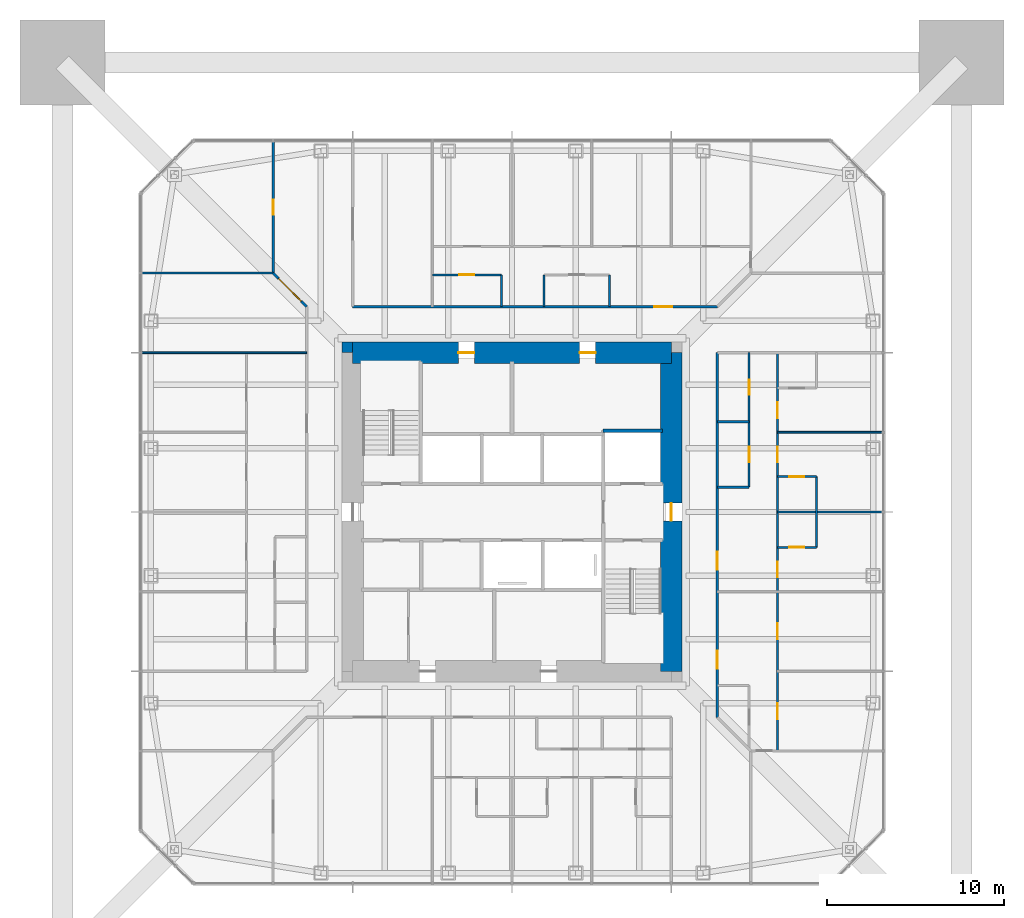
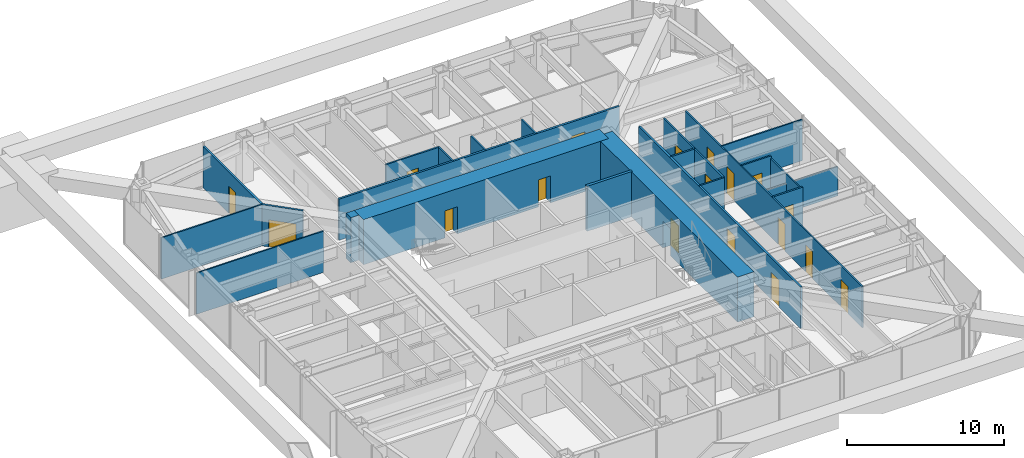
# One storey, part 15 of 20: 23 walls, 18 doors, 18 openings.
"""IFC4 building model written with IfcOpenShell, lengths in metres."""

from ifc_helpers import new_model, si_unit, direction, frame, frame_2d, origin, place, context, subcontext, project, spatial, rectangle, extrude, material, layer, layer_set, type_object, element, fill, save


model = new_model("IFC4")

# Units and contexts
model_context = context("Model", 3, precision=1e-05, world=origin(), true_north=direction((0.0, 1.0)))
body_context = subcontext(model_context, "Body", "Model", "MODEL_VIEW")
ifc_project = project(units=[si_unit("LENGTHUNIT", "METRE"), si_unit("AREAUNIT", "SQUARE_METRE"), si_unit("VOLUMEUNIT", "CUBIC_METRE"), si_unit("PLANEANGLEUNIT", "RADIAN"), si_unit("MASSUNIT", "GRAM", prefix="KILO")], contexts=[model_context])

# Site, building, storey
site_placement = place(None, origin())
site = spatial("IfcSite", under=ifc_project, at=site_placement, CompositionType="ELEMENT")
building_placement = place(site_placement, origin())
building = spatial("IfcBuilding", under=site, at=building_placement, Name="Iwan Alto Co-Living Towers", CompositionType="ELEMENT")
storey_placement = place(building_placement, frame((0.0, 0.0, 140.0)))
storey = spatial("IfcBuildingStorey", under=building, at=storey_placement, Name="L38", CompositionType="ELEMENT", Elevation=140.0)

# Wall, opening, door
ifc_material_1 = material(Name="Gypsum board")
ifc_layer_1 = layer(ifc_material_1, 0.02490234375, Name="Board", Category="Finish")
ifc_material_2 = material(Name="Steel ASTM A1003 ST33H cold-formed studs", Category="steel")
ifc_layer_2 = layer(ifc_material_2, 0.10009765625, Name="Studs", Category="Framing")
ifc_layer_3 = layer(ifc_material_1, 0.02490234375, Name="Board", Category="Finish")
ifc_layer_set_1 = layer_set([ifc_layer_1, ifc_layer_2, ifc_layer_3], Name="CORRIDOR WALL 150")
wall_type_1 = type_object("IfcWallType", Name="CORRIDOR WALL 150", PredefinedType="PARTITIONING", material=ifc_layer_set_1)
wall_1_placement = place(storey_placement, frame((-9.0, 11.60009765625, 0.0), z_axis=(0.0, 0.0, 1.0), x_axis=(1.0, 0.0, 0.0)))
wall_1 = element("IfcWall", 1, at=wall_1_placement, inside=storey, type_object=wall_type_1, Name="Partition L38", PredefinedType="PARTITIONING", context=body_context, shape_type="SweptSolid", body=[
    extrude(rectangle(XDim=20.60009765625, YDim=0.14990234375, at=frame_2d((10.300048828125, 0.0))), origin(), (0.0, 0.0, 1.0), 3.199951171875),
])
opening_1_placement = place(wall_1_placement, frame((17.050048828125, 0.0, 0.0)))
opening_1 = element("IfcOpeningElement", 2, at=opening_1_placement, cuts=wall_1, Name="Opening D3", PredefinedType="OPENING", context=body_context, shape_type="SweptSolid", body=[
    extrude(rectangle(XDim=1.0, YDim=2.10009765625, at=frame_2d((0.5, 1.050048828125))), frame((0.0, 0.0849609375, 0.0), z_axis=(0.0, -1.0, 0.0), x_axis=(1.0, 0.0, 0.0)), (0.0, 0.0, 1.0), 0.169921875),
])
ifc_material_3 = material(Name="Steel frame with timber leaf", Category="steel")
door_type_1 = type_object("IfcDoorType", Name="FLAT ENTRANCE DOOR FD30S 1000X2100", OperationType="SINGLE_SWING_LEFT", PredefinedType="DOOR", material=ifc_material_3)
door_1_placement = place(opening_1_placement, origin())
door_1 = element("IfcDoor", 3, at=door_1_placement, inside=storey, type_object=door_type_1, Name="Cluster lounge door L38", OperationType="SINGLE_SWING_LEFT", OverallHeight=2.10009765625, OverallWidth=1.0, PredefinedType="DOOR", context=body_context, shape_type="SweptSolid", body=[
    extrude(rectangle(XDim=1.0, YDim=2.10009765625, at=frame_2d((0.5, 1.050048828125))), frame((0.0, 0.02490234375, 0.0), z_axis=(0.0, -1.0, 0.0), x_axis=(1.0, 0.0, 0.0)), (0.0, 0.0, 1.0), 0.050048828125),
])
fill(opening_1, door_1)

# Wall, openings, doors
wall_2_placement = place(storey_placement, frame((11.60009765625, -11.60009765625, 0.0), z_axis=(0.0, 0.0, 1.0), x_axis=(0.0, 1.0, 0.0)))
wall_2 = element("IfcWall", 4, at=wall_2_placement, inside=storey, type_object=wall_type_1, Name="Partition L38", PredefinedType="PARTITIONING", context=body_context, shape_type="SweptSolid", body=[
    extrude(rectangle(XDim=20.60009765625, YDim=0.14990234375, at=frame_2d((10.300048828125, 0.0))), origin(), (0.0, 0.0, 1.0), 3.199951171875),
])
opening_2_placement = place(wall_2_placement, frame((2.75, 0.0, 0.0)))
opening_2 = element("IfcOpeningElement", 5, at=opening_2_placement, cuts=wall_2, Name="Opening D3", PredefinedType="OPENING", context=body_context, shape_type="SweptSolid", body=[
    extrude(rectangle(XDim=1.0, YDim=2.10009765625, at=frame_2d((0.5, 1.050048828125))), frame((0.0, 0.0849609375, 0.0), z_axis=(0.0, -1.0, 0.0), x_axis=(1.0, 0.0, 0.0)), (0.0, 0.0, 1.0), 0.169921875),
])
opening_3_placement = place(wall_2_placement, frame((8.35009765625, 0.0, 0.0)))
opening_3 = element("IfcOpeningElement", 6, at=opening_3_placement, cuts=wall_2, Name="Opening D3", PredefinedType="OPENING", context=body_context, shape_type="SweptSolid", body=[
    extrude(rectangle(XDim=1.0, YDim=2.10009765625, at=frame_2d((0.5, 1.050048828125))), frame((0.0, 0.0849609375, 0.0), z_axis=(0.0, -1.0, 0.0), x_axis=(1.0, 0.0, 0.0)), (0.0, 0.0, 1.0), 0.169921875),
])
door_2_placement = place(opening_2_placement, frame((1.0, 0.0, 0.0), z_axis=(0.0, 0.0, 1.0), x_axis=(-1.0, 0.0, 0.0)))
door_2 = element("IfcDoor", 7, at=door_2_placement, inside=storey, type_object=door_type_1, Name="Cluster lounge door L38", OperationType="SINGLE_SWING_RIGHT", OverallHeight=2.10009765625, OverallWidth=1.0, PredefinedType="DOOR", context=body_context, shape_type="SweptSolid", body=[
    extrude(rectangle(XDim=1.0, YDim=2.10009765625, at=frame_2d((0.5, 1.050048828125))), frame((0.0, 0.02490234375, 0.0), z_axis=(0.0, -1.0, 0.0), x_axis=(1.0, 0.0, 0.0)), (0.0, 0.0, 1.0), 0.050048828125),
])
fill(opening_2, door_2)
door_3_placement = place(opening_3_placement, frame((1.0, 0.0, 0.0), z_axis=(0.0, 0.0, 1.0), x_axis=(-1.0, 0.0, 0.0)))
door_3 = element("IfcDoor", 8, at=door_3_placement, inside=storey, type_object=door_type_1, Name="Cluster lounge and shared kitchen door L38", OperationType="SINGLE_SWING_RIGHT", OverallHeight=2.10009765625, OverallWidth=1.0, PredefinedType="DOOR", context=body_context, shape_type="SweptSolid", body=[
    extrude(rectangle(XDim=1.0, YDim=2.10009765625, at=frame_2d((0.5, 1.050048828125))), frame((0.0, 0.02490234375, 0.0), z_axis=(0.0, -1.0, 0.0), x_axis=(1.0, 0.0, 0.0)), (0.0, 0.0, 1.0), 0.050048828125),
])
fill(opening_3, door_3)

# Wall, opening, door
wall_3_placement = place(storey_placement, frame((-13.5, 13.5, 0.0), z_axis=(0.0, 0.0, 1.0), x_axis=(0.0, 1.0, 0.0)))
wall_3 = element("IfcWall", 9, at=wall_3_placement, inside=storey, type_object=wall_type_1, Name="Partition L38", PredefinedType="PARTITIONING", context=body_context, shape_type="SweptSolid", body=[
    extrude(rectangle(XDim=7.43994140625, YDim=0.14990234375, at=frame_2d((3.719970703125, 0.0))), origin(), (0.0, 0.0, 1.0), 3.199951171875),
])
opening_4_placement = place(wall_3_placement, frame((3.294921875, 0.0, 0.0)))
opening_4 = element("IfcOpeningElement", 10, at=opening_4_placement, cuts=wall_3, Name="Opening D2", PredefinedType="OPENING", context=body_context, shape_type="SweptSolid", body=[
    extrude(rectangle(XDim=0.85009765625, YDim=2.10009765625, at=frame_2d((0.425048828125, 1.050048828125))), frame((0.0, 0.0849609375, 0.0), z_axis=(0.0, -1.0, 0.0), x_axis=(1.0, 0.0, 0.0)), (0.0, 0.0, 1.0), 0.169921875),
])
ifc_material_4 = material(Name="Timber leaf in steel frame", Category="steel")
door_type_2 = type_object("IfcDoorType", Name="ROOM DOOR 850X2100", OperationType="SINGLE_SWING_LEFT", PredefinedType="DOOR", material=ifc_material_4)
door_4_placement = place(opening_4_placement, origin())
door_4 = element("IfcDoor", 11, at=door_4_placement, inside=storey, type_object=door_type_2, Name="Shared kitchen and lounge door L38", OperationType="SINGLE_SWING_LEFT", OverallHeight=2.10009765625, OverallWidth=0.85009765625, PredefinedType="DOOR", context=body_context, shape_type="SweptSolid", body=[
    extrude(rectangle(XDim=0.85009765625, YDim=2.10009765625, at=frame_2d((0.425048828125, 1.050048828125))), frame((0.0, 0.02490234375, 0.0), z_axis=(0.0, -1.0, 0.0), x_axis=(1.0, 0.0, 0.0)), (0.0, 0.0, 1.0), 0.050048828125),
])
fill(opening_4, door_4)

wall_4_placement = place(storey_placement, frame((-11.60009765625, 11.60009765625, 0.0), z_axis=(0.0, 0.0, 1.0), x_axis=(-0.707106781187, 0.707106781187, 0.0)))
wall_4 = element("IfcWall", 12, at=wall_4_placement, inside=storey, type_object=wall_type_1, Name="Partition L38", PredefinedType="PARTITIONING", context=body_context, shape_type="SweptSolid", body=[
    extrude(rectangle(XDim=2.686767578125, YDim=0.14990234375, at=frame_2d((1.34326171875, 0.0))), origin(), (0.0, 0.0, 1.0), 3.199951171875),
])
opening_5_placement = place(wall_4_placement, frame((0.444091796875, 0.0, 0.0)))
opening_5 = element("IfcOpeningElement", 13, at=opening_5_placement, cuts=wall_4, Name="Opening D9", PredefinedType="OPENING", context=body_context, shape_type="SweptSolid", body=[
    extrude(rectangle(XDim=1.800048828125, YDim=2.10009765625, at=frame_2d((0.89990234375, 1.050048828125))), frame((0.0, 0.0849609375, 0.0), z_axis=(0.0, -1.0, 0.0), x_axis=(1.0, 0.0, 0.0)), (0.0, 0.0, 1.0), 0.169921875),
])
ifc_material_5 = material(Name="Steel frame with timber leaf", Category="steel")
door_type_3 = type_object("IfcDoorType", Name="LOUNGE DOOR FD30S 1800X2100", OperationType="DOUBLE_DOOR_SINGLE_SWING", PredefinedType="DOOR", material=ifc_material_5)
door_5_placement = place(opening_5_placement, origin())
door_5 = element("IfcDoor", 14, at=door_5_placement, inside=storey, type_object=door_type_3, Name="Reading room door L38", OperationType="DOUBLE_DOOR_SINGLE_SWING", OverallHeight=2.10009765625, OverallWidth=1.800048828125, PredefinedType="DOOR", context=body_context, shape_type="SweptSolid", body=[
    extrude(rectangle(XDim=1.800048828125, YDim=2.10009765625, at=frame_2d((0.89990234375, 1.050048828125))), frame((0.0, 0.02490234375, 0.0), z_axis=(0.0, -1.0, 0.0), x_axis=(1.0, 0.0, 0.0)), (0.0, 0.0, 1.0), 0.050048828125),
])
fill(opening_5, door_5)

# Walls
ifc_layer_4 = layer(ifc_material_1, 0.012451171875, Name="Board", Category="Finish")
ifc_layer_5 = layer(ifc_material_2, 0.074951171875, Name="Studs", Category="Framing")
ifc_layer_6 = layer(ifc_material_1, 0.012451171875, Name="Board", Category="Finish")
ifc_layer_set_2 = layer_set([ifc_layer_4, ifc_layer_5, ifc_layer_6], Name="PARTITION 100")
wall_type_2 = type_object("IfcWallType", Name="PARTITION 100", PredefinedType="PARTITIONING", material=ifc_layer_set_2)
wall_5_placement = place(storey_placement, frame((15.0, 0.0, 0.0), z_axis=(0.0, 0.0, 1.0), x_axis=(1.0, 0.0, 0.0)))
element("IfcWall", 15, at=wall_5_placement, inside=storey, type_object=wall_type_2, Name="Partition L38", PredefinedType="PARTITIONING", context=body_context, shape_type="SweptSolid", body=[
    extrude(rectangle(XDim=5.93994140625, YDim=0.10009765625, at=frame_2d((2.969970703125, 0.0))), origin(), (0.0, 0.0, 1.0), 2.27294921875),
])
wall_6_placement = place(storey_placement, frame((15.0, 4.5, 0.0), z_axis=(0.0, 0.0, 1.0), x_axis=(1.0, 0.0, 0.0)))
element("IfcWall", 16, at=wall_6_placement, inside=storey, type_object=wall_type_2, Name="Partition L38", PredefinedType="PARTITIONING", context=body_context, shape_type="SweptSolid", body=[
    extrude(rectangle(XDim=5.93994140625, YDim=0.10009765625, at=frame_2d((2.969970703125, 0.0))), origin(), (0.0, 0.0, 1.0), 3.199951171875),
])
wall_7_placement = place(storey_placement, frame((-20.93994140625, 9.0, 0.0), z_axis=(0.0, 0.0, 1.0), x_axis=(1.0, 0.0, 0.0)))
element("IfcWall", 17, at=wall_7_placement, inside=storey, type_object=wall_type_2, Name="Partition L38", PredefinedType="PARTITIONING", context=body_context, shape_type="SweptSolid", body=[
    extrude(rectangle(XDim=9.33984375, YDim=0.10009765625, at=frame_2d((4.669921875, 0.0))), origin(), (0.0, 0.0, 1.0), 3.199951171875),
])
wall_8_placement = place(storey_placement, frame((-20.93994140625, 13.5, 0.0), z_axis=(0.0, 0.0, 1.0), x_axis=(1.0, 0.0, 0.0)))
element("IfcWall", 18, at=wall_8_placement, inside=storey, type_object=wall_type_2, Name="Partition L38", PredefinedType="PARTITIONING", context=body_context, shape_type="SweptSolid", body=[
    extrude(rectangle(XDim=7.43994140625, YDim=0.10009765625, at=frame_2d((3.719970703125, 0.0))), origin(), (0.0, 0.0, 1.0), 3.199951171875),
])
wall_9_placement = place(storey_placement, frame((17.199951171875, -2.0, 0.0), z_axis=(0.0, 0.0, 1.0), x_axis=(0.0, 1.0, 0.0)))
element("IfcWall", 19, at=wall_9_placement, inside=storey, type_object=wall_type_2, Name="Partition L38", PredefinedType="PARTITIONING", context=body_context, shape_type="SweptSolid", body=[
    extrude(rectangle(XDim=4.0, YDim=0.10009765625, at=frame_2d((2.0, 0.0))), origin(), (0.0, 0.0, 1.0), 3.0),
])

# Wall, openings, doors
wall_10_placement = place(storey_placement, frame((15.0, -13.5, 0.0), z_axis=(0.0, 0.0, 1.0), x_axis=(0.0, 1.0, 0.0)))
wall_10 = element("IfcWall", 20, at=wall_10_placement, inside=storey, type_object=wall_type_2, Name="Partition L38", PredefinedType="PARTITIONING", context=body_context, shape_type="SweptSolid", body=[
    extrude(rectangle(XDim=22.5, YDim=0.10009765625, at=frame_2d((11.25, 0.0))), origin(), (0.0, 0.0, 1.0), 3.199951171875),
])
opening_6_placement = place(wall_10_placement, frame((1.800048828125, 0.0, 0.0)))
opening_6 = element("IfcOpeningElement", 21, at=opening_6_placement, cuts=wall_10, Name="Opening D1", PredefinedType="OPENING", context=body_context, shape_type="SweptSolid", body=[
    extrude(rectangle(XDim=0.89990234375, YDim=2.10009765625, at=frame_2d((0.449951171875, 1.050048828125))), frame((0.0, 0.06005859375, 0.0), z_axis=(0.0, -1.0, 0.0), x_axis=(1.0, 0.0, 0.0)), (0.0, 0.0, 1.0), 0.1201171875),
])
opening_7_placement = place(wall_10_placement, frame((6.300048828125, 0.0, 0.0)))
opening_7 = element("IfcOpeningElement", 22, at=opening_7_placement, cuts=wall_10, Name="Opening D1", PredefinedType="OPENING", context=body_context, shape_type="SweptSolid", body=[
    extrude(rectangle(XDim=0.89990234375, YDim=2.10009765625, at=frame_2d((0.449951171875, 1.050048828125))), frame((0.0, 0.06005859375, 0.0), z_axis=(0.0, -1.0, 0.0), x_axis=(1.0, 0.0, 0.0)), (0.0, 0.0, 1.0), 0.1201171875),
])
opening_8_placement = place(wall_10_placement, frame((9.800048828125, 0.0, 0.0)))
opening_8 = element("IfcOpeningElement", 23, at=opening_8_placement, cuts=wall_10, Name="Opening D1", PredefinedType="OPENING", context=body_context, shape_type="SweptSolid", body=[
    extrude(rectangle(XDim=0.89990234375, YDim=2.10009765625, at=frame_2d((0.449951171875, 1.050048828125))), frame((0.0, 0.06005859375, 0.0), z_axis=(0.0, -1.0, 0.0), x_axis=(1.0, 0.0, 0.0)), (0.0, 0.0, 1.0), 0.1201171875),
])
opening_9_placement = place(wall_10_placement, frame((16.300048828125, 0.0, 0.0)))
opening_9 = element("IfcOpeningElement", 24, at=opening_9_placement, cuts=wall_10, Name="Opening D1", PredefinedType="OPENING", context=body_context, shape_type="SweptSolid", body=[
    extrude(rectangle(XDim=0.89990234375, YDim=2.10009765625, at=frame_2d((0.449951171875, 1.050048828125))), frame((0.0, 0.06005859375, 0.0), z_axis=(0.0, -1.0, 0.0), x_axis=(1.0, 0.0, 0.0)), (0.0, 0.0, 1.0), 0.1201171875),
])
opening_10_placement = place(wall_10_placement, frame((18.800048828125, 0.0, 0.0)))
opening_10 = element("IfcOpeningElement", 25, at=opening_10_placement, cuts=wall_10, Name="Opening D1", PredefinedType="OPENING", context=body_context, shape_type="SweptSolid", body=[
    extrude(rectangle(XDim=0.89990234375, YDim=2.10009765625, at=frame_2d((0.449951171875, 1.050048828125))), frame((0.0, 0.06005859375, 0.0), z_axis=(0.0, -1.0, 0.0), x_axis=(1.0, 0.0, 0.0)), (0.0, 0.0, 1.0), 0.1201171875),
])
ifc_material_6 = material(Name="Timber leaf in steel frame", Category="steel")
door_type_4 = type_object("IfcDoorType", Name="BEDROOM DOOR 900X2100", OperationType="SINGLE_SWING_LEFT", PredefinedType="DOOR", material=ifc_material_6)
door_6_placement = place(opening_6_placement, frame((0.89990234375, 0.0, 0.0), z_axis=(0.0, 0.0, 1.0), x_axis=(-1.0, 0.0, 0.0)))
door_6 = element("IfcDoor", 26, at=door_6_placement, inside=storey, type_object=door_type_4, Name="Study bedroom door L38", OperationType="SINGLE_SWING_RIGHT", OverallHeight=2.10009765625, OverallWidth=0.89990234375, PredefinedType="DOOR", context=body_context, shape_type="SweptSolid", body=[
    extrude(rectangle(XDim=0.89990234375, YDim=2.10009765625, at=frame_2d((0.449951171875, 1.050048828125))), frame((0.0, 0.02490234375, 0.0), z_axis=(0.0, -1.0, 0.0), x_axis=(1.0, 0.0, 0.0)), (0.0, 0.0, 1.0), 0.050048828125),
])
fill(opening_6, door_6)
door_7_placement = place(opening_7_placement, frame((0.89990234375, 0.0, 0.0), z_axis=(0.0, 0.0, 1.0), x_axis=(-1.0, 0.0, 0.0)))
door_7 = element("IfcDoor", 27, at=door_7_placement, inside=storey, type_object=door_type_4, Name="Study bedroom door L38", OperationType="SINGLE_SWING_RIGHT", OverallHeight=2.10009765625, OverallWidth=0.89990234375, PredefinedType="DOOR", context=body_context, shape_type="SweptSolid", body=[
    extrude(rectangle(XDim=0.89990234375, YDim=2.10009765625, at=frame_2d((0.449951171875, 1.050048828125))), frame((0.0, 0.02490234375, 0.0), z_axis=(0.0, -1.0, 0.0), x_axis=(1.0, 0.0, 0.0)), (0.0, 0.0, 1.0), 0.050048828125),
])
fill(opening_7, door_7)
door_8_placement = place(opening_8_placement, origin())
door_8 = element("IfcDoor", 28, at=door_8_placement, inside=storey, type_object=door_type_4, Name="Study bedroom door L38", OperationType="SINGLE_SWING_LEFT", OverallHeight=2.10009765625, OverallWidth=0.89990234375, PredefinedType="DOOR", context=body_context, shape_type="SweptSolid", body=[
    extrude(rectangle(XDim=0.89990234375, YDim=2.10009765625, at=frame_2d((0.449951171875, 1.050048828125))), frame((0.0, 0.02490234375, 0.0), z_axis=(0.0, -1.0, 0.0), x_axis=(1.0, 0.0, 0.0)), (0.0, 0.0, 1.0), 0.050048828125),
])
fill(opening_8, door_8)
door_9_placement = place(opening_9_placement, origin())
door_9 = element("IfcDoor", 29, at=door_9_placement, inside=storey, type_object=door_type_4, Name="Study bedroom door L38", OperationType="SINGLE_SWING_RIGHT", OverallHeight=2.10009765625, OverallWidth=0.89990234375, PredefinedType="DOOR", context=body_context, shape_type="SweptSolid", body=[
    extrude(rectangle(XDim=0.89990234375, YDim=2.10009765625, at=frame_2d((0.449951171875, 1.050048828125))), frame((0.0, 0.02490234375, 0.0), z_axis=(0.0, -1.0, 0.0), x_axis=(1.0, 0.0, 0.0)), (0.0, 0.0, 1.0), 0.050048828125),
])
fill(opening_9, door_9)
door_10_placement = place(opening_10_placement, origin())
door_10 = element("IfcDoor", 30, at=door_10_placement, inside=storey, type_object=door_type_4, Name="Study bedroom door L38", OperationType="SINGLE_SWING_RIGHT", OverallHeight=2.10009765625, OverallWidth=0.89990234375, PredefinedType="DOOR", context=body_context, shape_type="SweptSolid", body=[
    extrude(rectangle(XDim=0.89990234375, YDim=2.10009765625, at=frame_2d((0.449951171875, 1.050048828125))), frame((0.0, 0.02490234375, 0.0), z_axis=(0.0, -1.0, 0.0), x_axis=(1.0, 0.0, 0.0)), (0.0, 0.0, 1.0), 0.050048828125),
])
fill(opening_10, door_10)

# Walls
ifc_material_7 = material(Name="Concrete f'c 70 MPa", Category="concrete")
ifc_layer_7 = layer(ifc_material_7, 0.199951171875)
ifc_layer_set_3 = layer_set([ifc_layer_7], Name="SHAFT WALL 200")
wall_type_3 = type_object("IfcWallType", Name="SHAFT WALL 200", PredefinedType="SOLIDWALL", material=ifc_layer_set_3)
wall_11_placement = place(storey_placement, frame((5.14990234375, 4.60009765625, 0.0), z_axis=(0.0, 0.0, 1.0), x_axis=(1.0, 0.0, 0.0)))
element("IfcWall", 31, at=wall_11_placement, inside=storey, type_object=wall_type_3, Name="Shaft wall L38", PredefinedType="SOLIDWALL", context=body_context, shape_type="SweptSolid", body=[
    extrude(rectangle(XDim=3.340087890625, YDim=0.199951171875, at=frame_2d((1.669921875, 0.0))), origin(), (0.0, 0.0, 1.0), 3.5),
])
ifc_material_8 = material(Name="Concrete f'c 70 MPa", Category="concrete")
ifc_layer_8 = layer(ifc_material_8, 0.60009765625)
ifc_layer_set_4 = layer_set([ifc_layer_8], Name="T1 CORE CORNER FILL 600")
wall_type_4 = type_object("IfcWallType", Name="T1 CORE CORNER FILL 600", PredefinedType="SOLIDWALL", material=ifc_layer_set_4)
wall_12_placement = place(storey_placement, frame((-9.60009765625, 9.300048828125, 0.0), z_axis=(0.0, 0.0, 1.0), x_axis=(1.0, 0.0, 0.0)))
element("IfcWall", 32, at=wall_12_placement, inside=storey, type_object=wall_type_4, Name="T1 core corner NW L38", PredefinedType="SOLIDWALL", context=body_context, shape_type="SweptSolid", body=[
    extrude(rectangle(XDim=0.60009765625, YDim=0.60009765625, at=frame_2d((0.300048828125, 0.0))), origin(), (0.0, 0.0, 1.0), 3.5),
])

# Wall, openings, doors
ifc_material_9 = material(Name="Concrete f'c 70 MPa", Category="concrete")
ifc_layer_9 = layer(ifc_material_9, 1.199951171875)
ifc_layer_set_5 = layer_set([ifc_layer_9], Name="T1 CORE WALL 1200")
wall_type_5 = type_object("IfcWallType", Name="T1 CORE WALL 1200", PredefinedType="SHEAR", material=ifc_layer_set_5)
wall_13_placement = place(storey_placement, frame((9.0, 9.0, 0.0), z_axis=(0.0, 0.0, 1.0), x_axis=(-1.0, 0.0, 0.0)))
wall_13 = element("IfcWall", 33, at=wall_13_placement, inside=storey, type_object=wall_type_5, Name="T1 core wall N L38", PredefinedType="SHEAR", context=body_context, shape_type="SweptSolid", body=[
    extrude(rectangle(XDim=18.0, YDim=1.199951171875, at=frame_2d((9.0, 0.0))), origin(), (0.0, 0.0, 1.0), 3.5),
])
opening_11_placement = place(wall_13_placement, frame((11.125, 0.0, 0.0)))
opening_11 = element("IfcOpeningElement", 34, at=opening_11_placement, cuts=wall_13, Name="Opening D8", PredefinedType="OPENING", context=body_context, shape_type="SweptSolid", body=[
    extrude(rectangle(XDim=0.89990234375, YDim=2.10009765625, at=frame_2d((0.449951171875, 1.050048828125))), frame((0.0, 0.60986328125, 0.0), z_axis=(0.0, -1.0, 0.0), x_axis=(1.0, 0.0, 0.0)), (0.0, 0.0, 1.0), 1.219970703125),
])
opening_12_placement = place(wall_13_placement, frame((4.27490234375, 0.0, 0.0)))
opening_12 = element("IfcOpeningElement", 35, at=opening_12_placement, cuts=wall_13, Name="Opening D8", PredefinedType="OPENING", context=body_context, shape_type="SweptSolid", body=[
    extrude(rectangle(XDim=0.89990234375, YDim=2.10009765625, at=frame_2d((0.449951171875, 1.050048828125))), frame((0.0, 0.60986328125, 0.0), z_axis=(0.0, -1.0, 0.0), x_axis=(1.0, 0.0, 0.0)), (0.0, 0.0, 1.0), 1.219970703125),
])
ifc_material_10 = material(Name="Steel frame with timber leaf", Category="steel")
door_type_5 = type_object("IfcDoorType", Name="RISER DOOR FD120 900X2100", OperationType="SINGLE_SWING_LEFT", PredefinedType="DOOR", material=ifc_material_10)
door_11_placement = place(opening_11_placement, origin())
door_11 = element("IfcDoor", 36, at=door_11_placement, inside=storey, type_object=door_type_5, Name="Electrical riser core door L38", OperationType="SINGLE_SWING_RIGHT", OverallHeight=2.10009765625, OverallWidth=0.89990234375, PredefinedType="DOOR", context=body_context, shape_type="SweptSolid", body=[
    extrude(rectangle(XDim=0.89990234375, YDim=2.10009765625, at=frame_2d((0.449951171875, 1.050048828125))), frame((0.0, 0.02490234375, 0.0), z_axis=(0.0, -1.0, 0.0), x_axis=(1.0, 0.0, 0.0)), (0.0, 0.0, 1.0), 0.050048828125),
])
fill(opening_11, door_11)
door_12_placement = place(opening_12_placement, origin())
door_12 = element("IfcDoor", 37, at=door_12_placement, inside=storey, type_object=door_type_5, Name="Water and drainage riser core door L38", OperationType="SINGLE_SWING_RIGHT", OverallHeight=2.10009765625, OverallWidth=0.89990234375, PredefinedType="DOOR", context=body_context, shape_type="SweptSolid", body=[
    extrude(rectangle(XDim=0.89990234375, YDim=2.10009765625, at=frame_2d((0.449951171875, 1.050048828125))), frame((0.0, 0.02490234375, 0.0), z_axis=(0.0, -1.0, 0.0), x_axis=(1.0, 0.0, 0.0)), (0.0, 0.0, 1.0), 0.050048828125),
])
fill(opening_12, door_12)

# Wall, opening, door
wall_14_placement = place(storey_placement, frame((9.0, -9.0, 0.0), z_axis=(0.0, 0.0, 1.0), x_axis=(0.0, 1.0, 0.0)))
wall_14 = element("IfcWall", 38, at=wall_14_placement, inside=storey, type_object=wall_type_5, Name="T1 core wall E L38", PredefinedType="SHEAR", context=body_context, shape_type="SweptSolid", body=[
    extrude(rectangle(XDim=18.0, YDim=1.199951171875, at=frame_2d((9.0, 0.0))), origin(), (0.0, 0.0, 1.0), 3.5),
])
opening_13_placement = place(wall_14_placement, frame((8.5, 0.0, 0.0)))
opening_13 = element("IfcOpeningElement", 39, at=opening_13_placement, cuts=wall_14, Name="Opening D7", PredefinedType="OPENING", context=body_context, shape_type="SweptSolid", body=[
    extrude(rectangle(XDim=1.0, YDim=2.10009765625, at=frame_2d((0.5, 1.050048828125))), frame((0.0, 0.60986328125, 0.0), z_axis=(0.0, -1.0, 0.0), x_axis=(1.0, 0.0, 0.0)), (0.0, 0.0, 1.0), 1.219970703125),
])
ifc_material_11 = material(Name="Steel frame with timber leaf", Category="steel")
door_type_6 = type_object("IfcDoorType", Name="CORE DOOR FD120S 1000X2100", OperationType="SINGLE_SWING_LEFT", PredefinedType="DOOR", material=ifc_material_11)
door_13_placement = place(opening_13_placement, origin())
door_13 = element("IfcDoor", 40, at=door_13_placement, inside=storey, type_object=door_type_6, Name="Firefighting lobby core door L38", OperationType="SINGLE_SWING_LEFT", OverallHeight=2.10009765625, OverallWidth=1.0, PredefinedType="DOOR", context=body_context, shape_type="SweptSolid", body=[
    extrude(rectangle(XDim=1.0, YDim=2.10009765625, at=frame_2d((0.5, 1.050048828125))), frame((0.0, 0.02490234375, 0.0), z_axis=(0.0, -1.0, 0.0), x_axis=(1.0, 0.0, 0.0)), (0.0, 0.0, 1.0), 0.050048828125),
])
fill(opening_13, door_13)

ifc_material_12 = material(Name="Cement board")
ifc_layer_10 = layer(ifc_material_12, 0.012451171875, Name="Board", Category="Finish")
ifc_layer_11 = layer(ifc_material_2, 0.094970703125, Name="Studs", Category="Framing")
ifc_layer_12 = layer(ifc_material_12, 0.012451171875, Name="Board", Category="Finish")
ifc_layer_set_6 = layer_set([ifc_layer_10, ifc_layer_11, ifc_layer_12], Name="WET AREA PARTITION 120")
wall_type_6 = type_object("IfcWallType", Name="WET AREA PARTITION 120", PredefinedType="PARTITIONING", material=ifc_layer_set_6)
wall_15_placement = place(storey_placement, frame((15.0, -2.0, 0.0), z_axis=(0.0, 0.0, 1.0), x_axis=(1.0, 0.0, 0.0)))
wall_15 = element("IfcWall", 41, at=wall_15_placement, inside=storey, type_object=wall_type_6, Name="Partition L38", PredefinedType="PARTITIONING", context=body_context, shape_type="SweptSolid", body=[
    extrude(rectangle(XDim=2.199951171875, YDim=0.1201171875, at=frame_2d((1.10009765625, 0.0))), origin(), (0.0, 0.0, 1.0), 3.199951171875),
])
opening_14_placement = place(wall_15_placement, frame((0.675048828125, 0.0, 0.0)))
opening_14 = element("IfcOpeningElement", 42, at=opening_14_placement, cuts=wall_15, Name="Opening D2", PredefinedType="OPENING", context=body_context, shape_type="SweptSolid", body=[
    extrude(rectangle(XDim=0.85009765625, YDim=2.10009765625, at=frame_2d((0.425048828125, 1.050048828125))), frame((0.0, 0.070068359375, 0.0), z_axis=(0.0, -1.0, 0.0), x_axis=(1.0, 0.0, 0.0)), (0.0, 0.0, 1.0), 0.14013671875),
])
door_14_placement = place(opening_14_placement, frame((0.85009765625, 0.0, 0.0), z_axis=(0.0, 0.0, 1.0), x_axis=(-1.0, 0.0, 0.0)))
door_14 = element("IfcDoor", 43, at=door_14_placement, inside=storey, type_object=door_type_2, Name="En-suite shower room door L38", OperationType="SINGLE_SWING_RIGHT", OverallHeight=2.10009765625, OverallWidth=0.85009765625, PredefinedType="DOOR", context=body_context, shape_type="SweptSolid", body=[
    extrude(rectangle(XDim=0.85009765625, YDim=2.10009765625, at=frame_2d((0.425048828125, 1.050048828125))), frame((0.0, 0.02490234375, 0.0), z_axis=(0.0, -1.0, 0.0), x_axis=(1.0, 0.0, 0.0)), (0.0, 0.0, 1.0), 0.050048828125),
])
fill(opening_14, door_14)

# Wall
wall_16_placement = place(storey_placement, frame((11.60009765625, 1.39990234375, 0.0), z_axis=(0.0, 0.0, 1.0), x_axis=(1.0, 0.0, 0.0)))
element("IfcWall", 44, at=wall_16_placement, inside=storey, type_object=wall_type_6, Name="Partition L38", PredefinedType="PARTITIONING", context=body_context, shape_type="SweptSolid", body=[
    extrude(rectangle(XDim=1.7998046875, YDim=0.1201171875, at=frame_2d((0.89990234375, 0.0))), origin(), (0.0, 0.0, 1.0), 3.199951171875),
])

# Wall, opening, door
wall_17_placement = place(storey_placement, frame((15.0, 2.0, 0.0), z_axis=(0.0, 0.0, 1.0), x_axis=(1.0, 0.0, 0.0)))
wall_17 = element("IfcWall", 45, at=wall_17_placement, inside=storey, type_object=wall_type_6, Name="Partition L38", PredefinedType="PARTITIONING", context=body_context, shape_type="SweptSolid", body=[
    extrude(rectangle(XDim=2.199951171875, YDim=0.1201171875, at=frame_2d((1.10009765625, 0.0))), origin(), (0.0, 0.0, 1.0), 3.199951171875),
])
opening_15_placement = place(wall_17_placement, frame((0.675048828125, 0.0, 0.0)))
opening_15 = element("IfcOpeningElement", 46, at=opening_15_placement, cuts=wall_17, Name="Opening D2", PredefinedType="OPENING", context=body_context, shape_type="SweptSolid", body=[
    extrude(rectangle(XDim=0.85009765625, YDim=2.10009765625, at=frame_2d((0.425048828125, 1.050048828125))), frame((0.0, 0.070068359375, 0.0), z_axis=(0.0, -1.0, 0.0), x_axis=(1.0, 0.0, 0.0)), (0.0, 0.0, 1.0), 0.14013671875),
])
door_15_placement = place(opening_15_placement, origin())
door_15 = element("IfcDoor", 47, at=door_15_placement, inside=storey, type_object=door_type_2, Name="En-suite shower room door L38", OperationType="SINGLE_SWING_LEFT", OverallHeight=2.10009765625, OverallWidth=0.85009765625, PredefinedType="DOOR", context=body_context, shape_type="SweptSolid", body=[
    extrude(rectangle(XDim=0.85009765625, YDim=2.10009765625, at=frame_2d((0.425048828125, 1.050048828125))), frame((0.0, 0.02490234375, 0.0), z_axis=(0.0, -1.0, 0.0), x_axis=(1.0, 0.0, 0.0)), (0.0, 0.0, 1.0), 0.050048828125),
])
fill(opening_15, door_15)

# Wall
wall_18_placement = place(storey_placement, frame((11.60009765625, 5.10009765625, 0.0), z_axis=(0.0, 0.0, 1.0), x_axis=(1.0, 0.0, 0.0)))
element("IfcWall", 48, at=wall_18_placement, inside=storey, type_object=wall_type_6, Name="Partition L38", PredefinedType="PARTITIONING", context=body_context, shape_type="SweptSolid", body=[
    extrude(rectangle(XDim=1.7998046875, YDim=0.1201171875, at=frame_2d((0.89990234375, 0.0))), origin(), (0.0, 0.0, 1.0), 3.199951171875),
])

# Wall, opening, door
wall_19_placement = place(storey_placement, frame((-4.5, 13.39990234375, 0.0), z_axis=(0.0, 0.0, 1.0), x_axis=(1.0, 0.0, 0.0)))
wall_19 = element("IfcWall", 49, at=wall_19_placement, inside=storey, type_object=wall_type_6, Name="Partition L38", PredefinedType="PARTITIONING", context=body_context, shape_type="SweptSolid", body=[
    extrude(rectangle(XDim=3.89990234375, YDim=0.1201171875, at=frame_2d((1.949951171875, 0.0))), origin(), (0.0, 0.0, 1.0), 3.199951171875),
])
opening_16_placement = place(wall_19_placement, frame((1.52490234375, 0.0, 0.0)))
opening_16 = element("IfcOpeningElement", 50, at=opening_16_placement, cuts=wall_19, Name="Opening D2", PredefinedType="OPENING", context=body_context, shape_type="SweptSolid", body=[
    extrude(rectangle(XDim=0.85009765625, YDim=2.10009765625, at=frame_2d((0.425048828125, 1.050048828125))), frame((0.0, 0.070068359375, 0.0), z_axis=(0.0, -1.0, 0.0), x_axis=(1.0, 0.0, 0.0)), (0.0, 0.0, 1.0), 0.14013671875),
])
door_16_placement = place(opening_16_placement, origin())
door_16 = element("IfcDoor", 51, at=door_16_placement, inside=storey, type_object=door_type_2, Name="Laundry door L38", OperationType="SINGLE_SWING_LEFT", OverallHeight=2.10009765625, OverallWidth=0.85009765625, PredefinedType="DOOR", context=body_context, shape_type="SweptSolid", body=[
    extrude(rectangle(XDim=0.85009765625, YDim=2.10009765625, at=frame_2d((0.425048828125, 1.050048828125))), frame((0.0, 0.02490234375, 0.0), z_axis=(0.0, -1.0, 0.0), x_axis=(1.0, 0.0, 0.0)), (0.0, 0.0, 1.0), 0.050048828125),
])
fill(opening_16, door_16)

# Wall, openings, doors
wall_20_placement = place(storey_placement, frame((13.39990234375, 1.39990234375, 0.0), z_axis=(0.0, 0.0, 1.0), x_axis=(0.0, 1.0, 0.0)))
wall_20 = element("IfcWall", 52, at=wall_20_placement, inside=storey, type_object=wall_type_6, Name="Partition L38", PredefinedType="PARTITIONING", context=body_context, shape_type="SweptSolid", body=[
    extrude(rectangle(XDim=7.60009765625, YDim=0.1201171875, at=frame_2d((3.800048828125, 0.0))), origin(), (0.0, 0.0, 1.0), 3.199951171875),
])
opening_17_placement = place(wall_20_placement, frame((1.425048828125, 0.0, 0.0)))
opening_17 = element("IfcOpeningElement", 53, at=opening_17_placement, cuts=wall_20, Name="Opening D2", PredefinedType="OPENING", context=body_context, shape_type="SweptSolid", body=[
    extrude(rectangle(XDim=0.85009765625, YDim=2.10009765625, at=frame_2d((0.425048828125, 1.050048828125))), frame((0.0, 0.070068359375, 0.0), z_axis=(0.0, -1.0, 0.0), x_axis=(1.0, 0.0, 0.0)), (0.0, 0.0, 1.0), 0.14013671875),
])
opening_18_placement = place(wall_20_placement, frame((5.22509765625, 0.0, 0.0)))
opening_18 = element("IfcOpeningElement", 54, at=opening_18_placement, cuts=wall_20, Name="Opening D2", PredefinedType="OPENING", context=body_context, shape_type="SweptSolid", body=[
    extrude(rectangle(XDim=0.85009765625, YDim=2.10009765625, at=frame_2d((0.425048828125, 1.050048828125))), frame((0.0, 0.070068359375, 0.0), z_axis=(0.0, -1.0, 0.0), x_axis=(1.0, 0.0, 0.0)), (0.0, 0.0, 1.0), 0.14013671875),
])
door_17_placement = place(opening_17_placement, frame((0.85009765625, 0.0, 0.0), z_axis=(0.0, 0.0, 1.0), x_axis=(-1.0, 0.0, 0.0)))
door_17 = element("IfcDoor", 55, at=door_17_placement, inside=storey, type_object=door_type_2, Name="Accessible bathroom door L38", OperationType="SINGLE_SWING_LEFT", OverallHeight=2.10009765625, OverallWidth=0.85009765625, PredefinedType="DOOR", context=body_context, shape_type="SweptSolid", body=[
    extrude(rectangle(XDim=0.85009765625, YDim=2.10009765625, at=frame_2d((0.425048828125, 1.050048828125))), frame((0.0, 0.02490234375, 0.0), z_axis=(0.0, -1.0, 0.0), x_axis=(1.0, 0.0, 0.0)), (0.0, 0.0, 1.0), 0.050048828125),
])
fill(opening_17, door_17)
door_18_placement = place(opening_18_placement, frame((0.85009765625, 0.0, 0.0), z_axis=(0.0, 0.0, 1.0), x_axis=(-1.0, 0.0, 0.0)))
door_18 = element("IfcDoor", 56, at=door_18_placement, inside=storey, type_object=door_type_2, Name="Laundry door L38", OperationType="SINGLE_SWING_LEFT", OverallHeight=2.10009765625, OverallWidth=0.85009765625, PredefinedType="DOOR", context=body_context, shape_type="SweptSolid", body=[
    extrude(rectangle(XDim=0.85009765625, YDim=2.10009765625, at=frame_2d((0.425048828125, 1.050048828125))), frame((0.0, 0.02490234375, 0.0), z_axis=(0.0, -1.0, 0.0), x_axis=(1.0, 0.0, 0.0)), (0.0, 0.0, 1.0), 0.050048828125),
])
fill(opening_18, door_18)

# Walls
for number, where, z_axis, x_axis, name in (
    (57, (5.5, 11.60009765625, 0.0), (0.0, 0.0, 1.0), (0.0, 1.0, 0.0), "Partition L38"),
    (58, (1.800048828125, 11.60009765625, 0.0), (0.0, 0.0, 1.0), (0.0, 1.0, 0.0), "Partition L38"),
    (59, (-0.60009765625, 11.60009765625, 0.0), (0.0, 0.0, 1.0), (0.0, 1.0, 0.0), "Partition L38"),
):
    element("IfcWall", number, at=place(storey_placement, frame(where, z_axis=z_axis, x_axis=x_axis)), inside=storey, type_object=wall_type_6, Name=name, PredefinedType="PARTITIONING", context=body_context, shape_type="SweptSolid", body=[
        extrude(rectangle(XDim=1.7998046875, YDim=0.1201171875, at=frame_2d((0.89990234375, 0.0))), origin(), (0.0, 0.0, 1.0), 3.199951171875),
    ])

save(model, "model.ifc")
